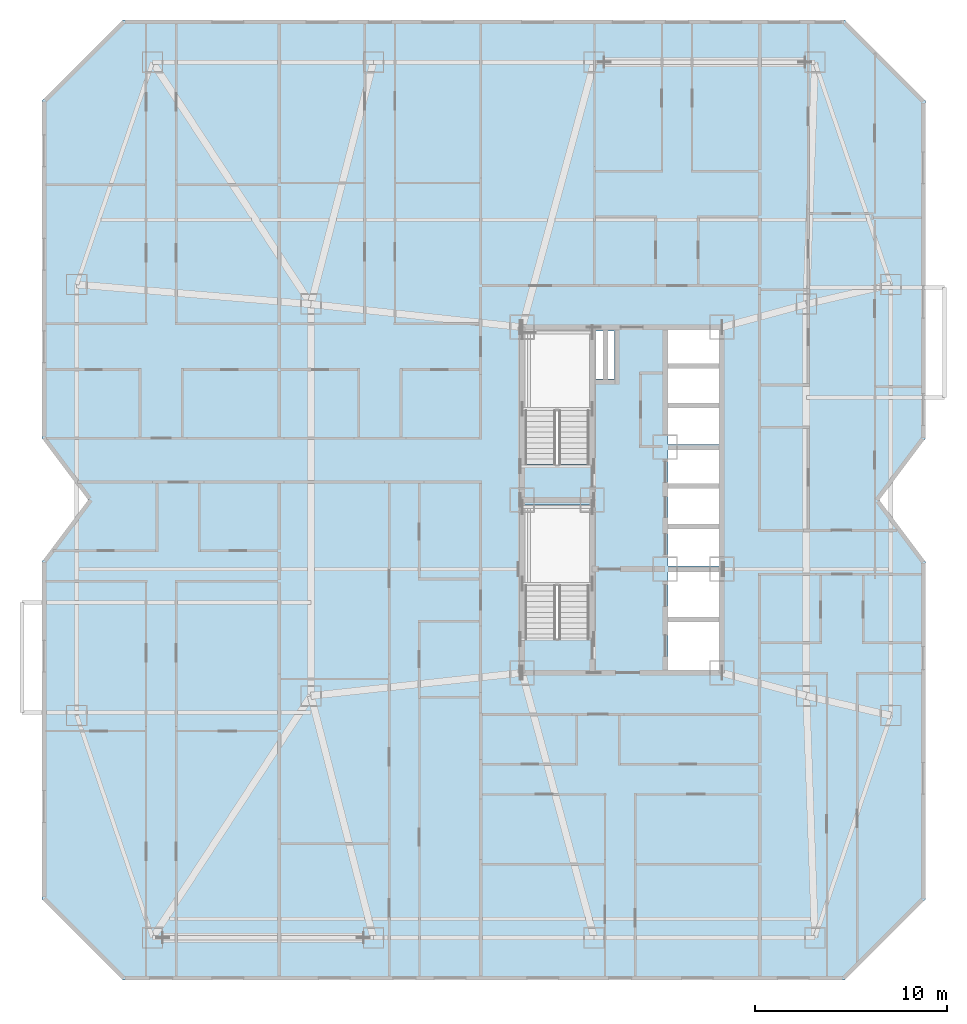
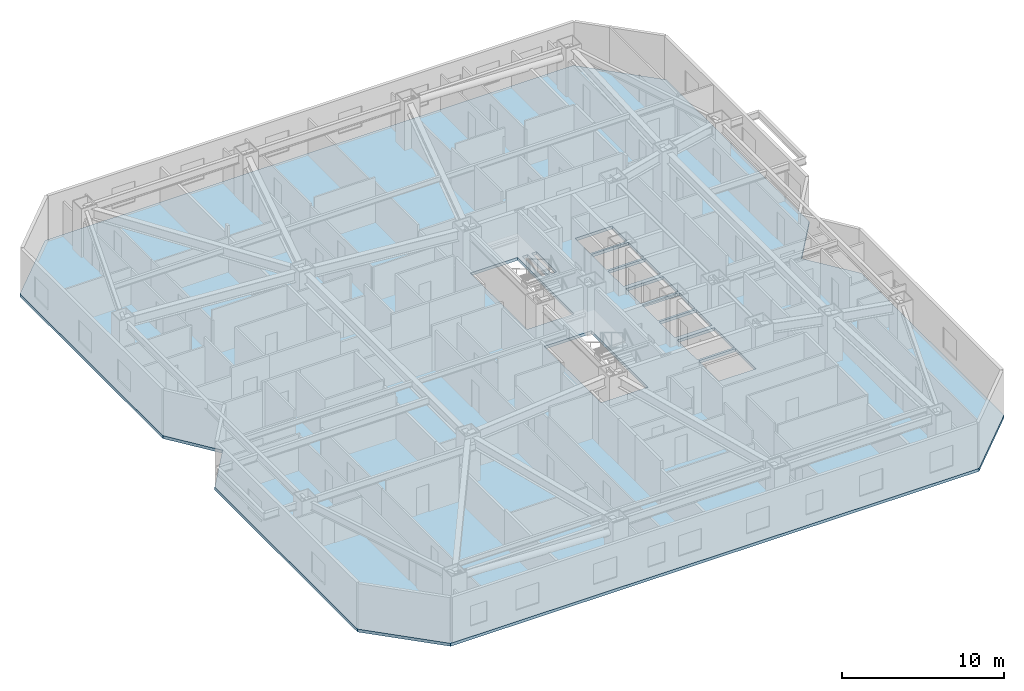
# One storey, part 3 of 13: 1 slab.
"""IFC4 building model written with IfcOpenShell, lengths in metres."""

from ifc_helpers import new_model, si_unit, direction, frame, origin, place, context, subcontext, project, spatial, polyline, outline, extrude, material, layer, layer_set, type_object, element, save


model = new_model("IFC4")

# Units and contexts
model_context = context("Model", 3, precision=1e-05, world=origin(), true_north=direction((0.0, 1.0)))
body_context = subcontext(model_context, "Body", "Model", "MODEL_VIEW")
ifc_project = project(units=[si_unit("LENGTHUNIT", "METRE"), si_unit("AREAUNIT", "SQUARE_METRE"), si_unit("VOLUMEUNIT", "CUBIC_METRE"), si_unit("PLANEANGLEUNIT", "RADIAN"), si_unit("MASSUNIT", "GRAM", prefix="KILO")], contexts=[model_context])

# Site, building, storey
site_placement = place(None, origin())
site = spatial("IfcSite", under=ifc_project, at=site_placement, CompositionType="ELEMENT")
building_placement = place(site_placement, origin())
building = spatial("IfcBuilding", under=site, at=building_placement, Name="Khamvora Tower", CompositionType="ELEMENT")
storey_placement = place(building_placement, frame((0.0, 0.0, 62.5)))
storey = spatial("IfcBuildingStorey", under=building, at=storey_placement, Name="L15", CompositionType="ELEMENT", Elevation=62.5)

# Slab
ifc_material = material(Name="Concrete C35/45", Category="concrete")
ifc_layer = layer(ifc_material, 0.219970703125)
ifc_layer_set = layer_set([ifc_layer], Name="Concrete C35/45")
slab_type = type_object("IfcSlabType", Name="SLB-TYP-220", PredefinedType="FLOOR", material=ifc_layer_set)
slab_placement = place(storey_placement, frame((0.0, 0.0, -0.219970703125)))
element("IfcSlab", 1, at=slab_placement, inside=storey, type_object=slab_type, Name="L15 structural floor slab", PredefinedType="FLOOR", context=body_context, shape_type="SweptSolid", body=[
    extrude(outline(polyline([(8.199951171875, 3.0), (45.800048828125, 3.0), (50.0, 7.199951171875), (50.0, 24.800048828125), (47.60009765625, 28.0), (50.0, 31.199951171875), (50.0, 48.800048828125), (45.800048828125, 53.0), (8.199951171875, 53.0), (4.0, 48.800048828125), (4.0, 31.199951171875), (6.39990234375, 28.0), (4.0, 24.800048828125), (4.0, 7.199951171875), (8.199951171875, 3.0)]), holes=[polyline([(32.5, 20.760009765625), (32.5, 27.75), (29.14990234375, 27.75), (29.14990234375, 20.760009765625), (32.5, 20.760009765625)]), polyline([(32.5, 29.860107421875), (32.5, 36.85009765625), (29.14990234375, 36.85009765625), (29.14990234375, 29.860107421875), (32.5, 29.860107421875)]), polyline([(36.60009765625, 19.14990234375), (39.25, 19.14990234375), (39.25, 21.64990234375), (36.60009765625, 21.64990234375), (36.60009765625, 19.14990234375)]), polyline([(36.60009765625, 21.800048828125), (39.25, 21.800048828125), (39.25, 24.25), (36.60009765625, 24.25), (36.60009765625, 21.800048828125)]), polyline([(36.60009765625, 24.550048828125), (39.25, 24.550048828125), (39.25, 26.5), (36.60009765625, 26.5), (36.60009765625, 24.550048828125)]), polyline([(36.60009765625, 26.64990234375), (39.25, 26.64990234375), (39.25, 28.60009765625), (36.60009765625, 28.60009765625), (36.60009765625, 26.64990234375)]), polyline([(36.60009765625, 28.75), (39.25, 28.75), (39.25, 30.60009765625), (36.60009765625, 30.60009765625), (36.60009765625, 28.75)]), polyline([(36.60009765625, 30.89990234375), (39.25, 30.89990234375), (39.25, 32.800048828125), (36.60009765625, 32.800048828125), (36.60009765625, 30.89990234375)]), polyline([(36.60009765625, 32.949951171875), (39.25, 32.949951171875), (39.25, 34.85009765625), (36.60009765625, 34.85009765625), (36.60009765625, 32.949951171875)]), polyline([(36.60009765625, 35.0), (39.25, 35.0), (39.25, 36.85009765625), (36.60009765625, 36.85009765625), (36.60009765625, 35.0)]), polyline([(32.800048828125, 34.300048828125), (33.199951171875, 34.300048828125), (33.199951171875, 36.800048828125), (32.800048828125, 36.800048828125), (32.800048828125, 34.300048828125)]), polyline([(33.47998046875, 34.300048828125), (33.820068359375, 34.300048828125), (33.820068359375, 36.800048828125), (33.47998046875, 36.800048828125), (33.47998046875, 34.300048828125)])]), origin(), (0.0, 0.0, 1.0), 0.219970703125),
])

save(model, "model.ifc")
